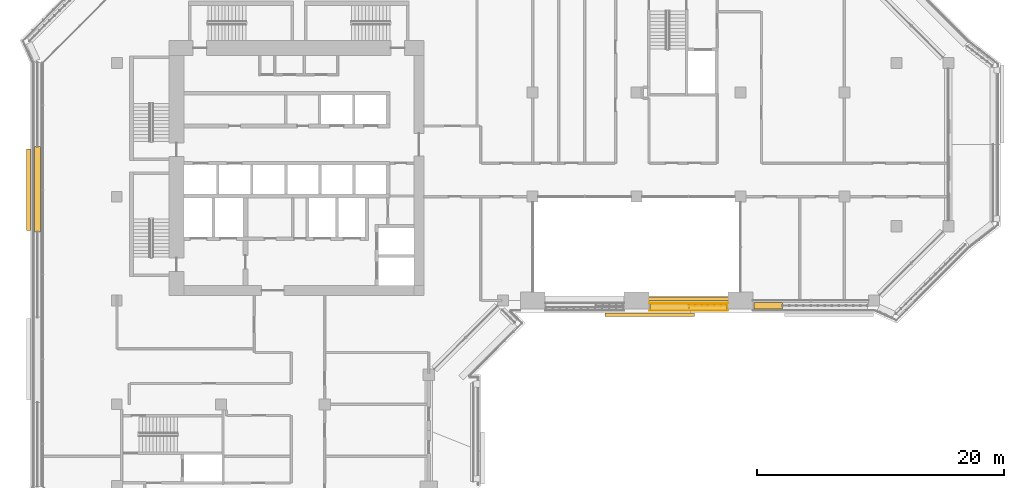
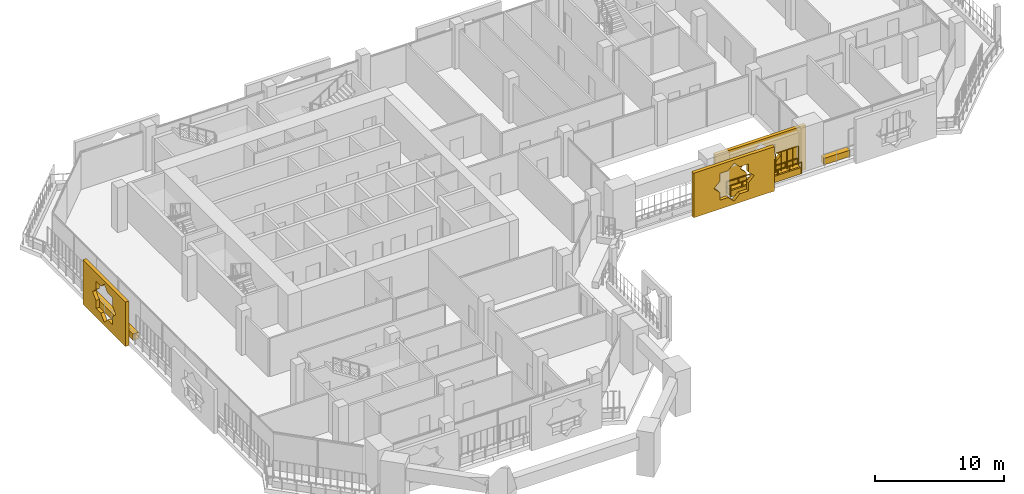
# One storey, part 20 of 23: 8 coverings, 3 railings.
"""IFC4 building model written with IfcOpenShell, lengths in metres."""

import ifcopenshell
import ifcopenshell.guid

model = None  # the IFC model being written
_history = None  # IfcOwnerHistory: only IFC2X3 demands one
_inside = {}  # id of a spatial element -> (the spatial element, [elements in it])
_under = {}  # id of a project, library or spatial element -> (it, [spatial elements below it])
_declared = {}  # id of a project -> (the project, [libraries it declares])
_typed = {}  # id of a type object -> (the type object, [elements of that type])
_made_of = {}  # id of a material, layer set ... -> (it, [elements and type objects made of it])


def new_model(schema):
    """Start an empty IFC model of exactly this schema.

    Asked for "IFC4X3", IfcOpenShell would pick the latest addendum, in which some entities
    have other attributes; the version numbers below select the first issue.
    IFC2X3 requires an IfcOwnerHistory on every rooted entity: one is made here for all.
    """
    global model, _history
    if schema == "IFC4X3":
        model = ifcopenshell.file(schema_version=(4, 3, 0, 0))
    else:
        model = ifcopenshell.file(schema=schema)
    _inside.clear()
    _under.clear()
    _declared.clear()
    _typed.clear()
    _made_of.clear()
    _history = None
    if model.schema == "IFC2X3":
        org = make("IfcOrganization", Name="unknown")
        user = make(
            "IfcPersonAndOrganization",
            ThePerson=make("IfcPerson", FamilyName="unknown"),
            TheOrganization=org,
        )
        app = make(
            "IfcApplication",
            ApplicationDeveloper=org,
            Version="unknown",
            ApplicationFullName="unknown",
            ApplicationIdentifier="unknown",
        )
        _history = make(
            "IfcOwnerHistory",
            OwningUser=user,
            OwningApplication=app,
            ChangeAction="ADDED",
            CreationDate=0,
        )
    return model


def make(cls, **values):
    """One entity of the class cls with the attributes given. An attribute that is None is left unset."""
    return model.create_entity(
        cls, **{name: value for name, value in values.items() if value is not None}
    )


def rooted(cls, **values):
    """An entity with a GlobalId (a new one), such as an element, a storey or a relation."""
    return make(cls, GlobalId=ifcopenshell.guid.new(), OwnerHistory=_history, **values)


def si_unit(unit_type, name, prefix=None):
    """IfcSIUnit, for example si_unit("LENGTHUNIT", "METRE", prefix="MILLI")."""
    return make("IfcSIUnit", UnitType=unit_type, Prefix=prefix, Name=name)


def assignment(units):
    """IfcUnitAssignment: the units of a project."""
    return None if units is None else make("IfcUnitAssignment", Units=units)


def point(xyz):
    """IfcCartesianPoint."""
    return None if xyz is None else make("IfcCartesianPoint", Coordinates=xyz)


def direction(xyz):
    """IfcDirection."""
    return None if xyz is None else make("IfcDirection", DirectionRatios=xyz)


def frame(location, z_axis=None, x_axis=None):
    """IfcAxis2Placement3D, a coordinate frame: its origin and axes. An axis left out is left unset."""
    return make(
        "IfcAxis2Placement3D",
        Location=point(location),
        Axis=direction(z_axis),
        RefDirection=direction(x_axis),
    )


def frame_2d(location, x_axis=None):
    """IfcAxis2Placement2D, a coordinate frame in the plane: its origin and x axis."""
    return make(
        "IfcAxis2Placement2D", Location=point(location), RefDirection=direction(x_axis)
    )


def origin():
    """The frame at (0, 0, 0) with its axes left unset."""
    return frame((0.0, 0.0, 0.0))


def origin_2d():
    """The frame at (0, 0) in the plane with its x axis left unset."""
    return frame_2d((0.0, 0.0))


def place(relative_to, where):
    """IfcLocalPlacement: puts the frame where relative to a parent placement (None: the world)."""
    return make(
        "IfcLocalPlacement", PlacementRelTo=relative_to, RelativePlacement=where
    )


def context(
    kind, dimensions, precision=None, world=None, true_north=None, identifier=None
):
    """IfcGeometricRepresentationContext, for example the 3D "Model" context."""
    return make(
        "IfcGeometricRepresentationContext",
        ContextIdentifier=identifier,
        ContextType=kind,
        CoordinateSpaceDimension=dimensions,
        Precision=precision,
        WorldCoordinateSystem=world,
        TrueNorth=true_north,
    )


def subcontext(parent, identifier, kind, view, scale=None):
    """IfcGeometricRepresentationSubContext, for example "Body" below "Model"."""
    return make(
        "IfcGeometricRepresentationSubContext",
        ContextIdentifier=identifier,
        ContextType=kind,
        ParentContext=parent,
        TargetScale=scale,
        TargetView=view,
    )


def project(units=None, contexts=None):
    """IfcProject with its units and contexts."""
    return rooted(
        "IfcProject",
        Name="project",
        RepresentationContexts=contexts,
        UnitsInContext=assignment(units),
    )


def spatial(cls, under=None, at=None, **own):
    """A site, building, storey or space (cls), placed at a placement, below another one or the project."""
    s = rooted(cls, ObjectPlacement=at, **own)
    if under is not None:
        _under.setdefault(under.id(), (under, []))[1].append(s)
    return s


def polyline(points):
    """IfcPolyline through the points."""
    return make("IfcPolyline", Points=[point(p) for p in points])


def profile(cls, at=None, kind="AREA", **sizes):
    """A parametric profile (cls). Its sizes go by their IFC names, for example OverallWidth=200.0."""
    return make(cls, ProfileType=kind, Position=at, **sizes)


def rectangle(**sizes):
    """IfcRectangleProfileDef."""
    return profile("IfcRectangleProfileDef", **sizes)


def circle(**sizes):
    """IfcCircleProfileDef."""
    return profile("IfcCircleProfileDef", **sizes)


def outline(outer, holes=None, kind="AREA"):
    """IfcArbitraryClosedProfileDef: a profile drawn as a closed curve; with holes, ...WithVoids."""
    if holes is None:
        return make("IfcArbitraryClosedProfileDef", ProfileType=kind, OuterCurve=outer)
    return make(
        "IfcArbitraryProfileDefWithVoids",
        ProfileType=kind,
        OuterCurve=outer,
        InnerCurves=holes,
    )


def extrude(swept, where, along, depth):
    """IfcExtrudedAreaSolid: the profile swept, set in the frame where, extruded along a direction by depth."""
    return make(
        "IfcExtrudedAreaSolid",
        SweptArea=swept,
        Position=where,
        ExtrudedDirection=direction(along),
        Depth=depth,
    )


def shape(context_of_items, identifier, shape_type, items):
    """IfcShapeRepresentation: the items that make up one representation, for example the "Body"."""
    return make(
        "IfcShapeRepresentation",
        ContextOfItems=context_of_items,
        RepresentationIdentifier=identifier,
        RepresentationType=shape_type,
        Items=items,
    )


def material(Name=None, Category=None):
    """IfcMaterial."""
    return make("IfcMaterial", Name=Name, Category=Category)


def material_profile(
    of_material, cross_section, Name=None, Category=None, Priority=None
):
    """IfcMaterialProfile: a cross section and its material."""
    return make(
        "IfcMaterialProfile",
        Name=Name,
        Material=of_material,
        Profile=cross_section,
        Priority=Priority,
        Category=Category,
    )


def profile_set(profiles, Name=None, composite=None):
    """IfcMaterialProfileSet."""
    return make(
        "IfcMaterialProfileSet",
        Name=Name,
        MaterialProfiles=profiles,
        CompositeProfile=composite,
    )


def made_of(thing, what):
    """Note that an element or type object is made of a material, layer set ...; save() writes the relation."""
    if what is not None:
        _made_of.setdefault(what.id(), (what, []))[1].append(thing)
    return thing


def type_object(cls, material=None, **own):
    """A type object (cls), such as IfcWallType, which elements share."""
    return made_of(rooted(cls, **own), material)


def element(
    cls,
    number,
    at=None,
    inside=None,
    cuts=None,
    type_object=None,
    material=None,
    context=None,
    identifier="Body",
    shape_type=None,
    held_by="IfcProductDefinitionShape",
    body=None,
    shapes=None,
    **own,
):
    """One element of the class cls, such as IfcWall. Its Tag is "e" and its number.

    at: its placement. inside: the storey or other place that contains it. cuts: it is an
    opening in that element (IfcRelVoidsElement). A single representation is given by context,
    identifier, shape_type and body (its items); several are given by shapes. held_by: the class
    of the entity that holds the representations. save() writes the other relations.
    """
    e = rooted(cls, Tag="e%d" % number, ObjectPlacement=at, **own)
    if body is not None:
        shapes = [shape(context, identifier, shape_type, body)]
    if shapes is not None:
        e.Representation = make(held_by, Representations=shapes)
    if inside is not None:
        _inside.setdefault(inside.id(), (inside, []))[1].append(e)
    if cuts is not None:
        rooted(
            "IfcRelVoidsElement", RelatingBuildingElement=cuts, RelatedOpeningElement=e
        )
    if type_object is not None:
        _typed.setdefault(type_object.id(), (type_object, []))[1].append(e)
    return made_of(e, material)


def aggregate(whole, parts):
    """IfcRelAggregates: a whole, such as a stair, and the parts it consists of."""
    return rooted("IfcRelAggregates", RelatingObject=whole, RelatedObjects=parts)


def save(model, path):
    """Write the relations noted so far, then the file.

    IfcRelAggregates (storeys below a building ...), IfcRelContainedInSpatialStructure (elements
    in a storey), IfcRelDefinesByType, IfcRelAssociatesMaterial and IfcRelDeclares: one each for
    every whole, place, type object, material and project.
    """
    for whole, parts in _under.values():
        aggregate(whole, parts)
    for where, things in _inside.values():
        rooted(
            "IfcRelContainedInSpatialStructure",
            RelatedElements=things,
            RelatingStructure=where,
        )
    for kind, things in _typed.values():
        rooted("IfcRelDefinesByType", RelatedObjects=things, RelatingType=kind)
    for what, things in _made_of.values():
        rooted("IfcRelAssociatesMaterial", RelatedObjects=things, RelatingMaterial=what)
    for by, libraries in _declared.values():
        rooted("IfcRelDeclares", RelatingContext=by, RelatedDefinitions=libraries)
    model.write(path)


model = new_model("IFC4")

# Units and contexts
model_context = context("Model", 3, precision=1e-05, world=origin(), true_north=direction((0.0, 1.0)))
body_context = subcontext(model_context, "Body", "Model", "MODEL_VIEW")
ifc_project = project(units=[si_unit("LENGTHUNIT", "METRE"), si_unit("AREAUNIT", "SQUARE_METRE"), si_unit("VOLUMEUNIT", "CUBIC_METRE"), si_unit("PLANEANGLEUNIT", "RADIAN"), si_unit("MASSUNIT", "GRAM", prefix="KILO")], contexts=[model_context])

# Site, building, storey
site_placement = place(None, origin())
site = spatial("IfcSite", under=ifc_project, at=site_placement, CompositionType="ELEMENT")
building_placement = place(site_placement, origin())
building = spatial("IfcBuilding", under=site, at=building_placement, Name="Kawkab Arch Medical Tower", CompositionType="ELEMENT")
storey_placement = place(building_placement, frame((0.0, 0.0, 222.199951171875)))
storey = spatial("IfcBuildingStorey", under=building, at=storey_placement, Name="L51", CompositionType="ELEMENT", Elevation=222.199951171875)

# Railings
ifc_material_1 = material(Name="Bronze anodised aluminium guard", Category="aluminium")
railing_type_1 = type_object("IfcRailingType", Name="Loggia and terrace guard 1100", PredefinedType="GUARDRAIL", material=ifc_material_1)
railing_1_placement = place(storey_placement, frame((43.030029296875, -25.39990234375, 0.0)))
element("IfcRailing", 1, at=railing_1_placement, inside=storey, type_object=railing_type_1, Name="Guard L51.LOG-01.1.2", PredefinedType="GUARDRAIL", context=body_context, shape_type="SweptSolid", body=[
    extrude(circle(Radius=0.02392578125, at=origin_2d()), frame((0.0, 0.0, 1.076171875), z_axis=(1.0, 0.0, 0.0), x_axis=(0.0, 1.0, 0.0)), (0.0, 0.0, 1.0), 6.340087890625),
    extrude(circle(Radius=0.02099609375, at=origin_2d()), origin(), (0.0, 0.0, 1.0), 1.052001953125),
    extrude(circle(Radius=0.02099609375, at=origin_2d()), frame((1.056640625, 0.0, 0.0)), (0.0, 0.0, 1.0), 1.052001953125),
    extrude(circle(Radius=0.02099609375, at=origin_2d()), frame((2.11328125, 0.0, 0.0)), (0.0, 0.0, 1.0), 1.052001953125),
    extrude(circle(Radius=0.02099609375, at=origin_2d()), frame((3.169921875, 0.0, 0.0)), (0.0, 0.0, 1.0), 1.052001953125),
    extrude(circle(Radius=0.02099609375, at=origin_2d()), frame((4.226806640625, 0.0, 0.0)), (0.0, 0.0, 1.0), 1.052001953125),
    extrude(circle(Radius=0.02099609375, at=origin_2d()), frame((5.283447265625, 0.0, 0.0)), (0.0, 0.0, 1.0), 1.052001953125),
    extrude(circle(Radius=0.02099609375, at=origin_2d()), frame((6.340087890625, 0.0, 0.0)), (0.0, 0.0, 1.0), 1.052001953125),
])
railing_2_placement = place(storey_placement, frame((49.3701171875, -26.0, 0.0)))
element("IfcRailing", 2, at=railing_2_placement, inside=storey, type_object=railing_type_1, Name="Guard L51.LOG-01.2.3", PredefinedType="GUARDRAIL", context=body_context, shape_type="SweptSolid", body=[
    extrude(circle(Radius=0.02392578125, at=origin_2d()), frame((0.0, 0.0, 1.076171875), z_axis=(-1.0, 0.0, 0.0), x_axis=(0.0, -1.0, 0.0)), (0.0, 0.0, 1.0), 6.340087890625),
    extrude(circle(Radius=0.02099609375, at=origin_2d()), origin(), (0.0, 0.0, 1.0), 1.052001953125),
    extrude(circle(Radius=0.02099609375, at=origin_2d()), frame((-1.056640625, 0.0, 0.0)), (0.0, 0.0, 1.0), 1.052001953125),
    extrude(circle(Radius=0.02099609375, at=origin_2d()), frame((-2.11328125, 0.0, 0.0)), (0.0, 0.0, 1.0), 1.052001953125),
    extrude(circle(Radius=0.02099609375, at=origin_2d()), frame((-3.169921875, 0.0, 0.0)), (0.0, 0.0, 1.0), 1.052001953125),
    extrude(circle(Radius=0.02099609375, at=origin_2d()), frame((-4.226806640625, 0.0, 0.0)), (0.0, 0.0, 1.0), 1.052001953125),
    extrude(circle(Radius=0.02099609375, at=origin_2d()), frame((-5.283447265625, 0.0, 0.0)), (0.0, 0.0, 1.0), 1.052001953125),
    extrude(circle(Radius=0.02099609375, at=origin_2d()), frame((-6.340087890625, 0.0, 0.0)), (0.0, 0.0, 1.0), 1.052001953125),
])

# Coverings
ifc_material_2 = material(Name="Bronze anodised aluminium mashrabiya panel, eight-point star pattern", Category="aluminium")
ifc_material_profile_1 = material_profile(ifc_material_2, outline(polyline([(-3.300048828125, -2.10009765625), (3.300048828125, -2.10009765625), (3.300048828125, 2.10009765625), (-3.300048828125, 2.10009765625), (-3.300048828125, -2.10009765625)]), holes=[polyline([(1.800048828125, 0.0), (1.272705078125, 0.527099609375), (1.272705078125, 1.272705078125), (0.527099609375, 1.272705078125), (0.0, 1.800048828125), (-0.527099609375, 1.272705078125), (-1.272705078125, 1.272705078125), (-1.272705078125, 0.527099609375), (-1.800048828125, 0.0), (-1.272705078125, -0.527099609375), (-1.272705078125, -1.272705078125), (-0.527099609375, -1.272705078125), (0.0, -1.800048828125), (0.527099609375, -1.272705078125), (1.272705078125, -1.272705078125), (1.272705078125, -0.527099609375), (1.800048828125, 0.0)])]), Name="Mashrabiya panel 6600x4200")
ifc_profile_set_1 = profile_set([ifc_material_profile_1], Name="Bronze anodised aluminium mashrabiya panel, eight-point star pattern")
covering_type_1 = type_object("IfcCoveringType", Name="Mashrabiya panel 6600 x 4200", PredefinedType="USERDEFINED", material=ifc_profile_set_1)
covering_1_placement = place(storey_placement, frame((-7.0, -16.259033203125, 1.699951171875), z_axis=(-1.0, 0.0, 0.0), x_axis=(0.0, -1.0, 0.0)))
element("IfcCovering", 3, at=covering_1_placement, inside=storey, type_object=covering_type_1, Name="Mashrabiya panel L51.LOG-01-02.4", ObjectType="SCREEN", PredefinedType="USERDEFINED", context=body_context, shape_type="SweptSolid", body=[
    extrude(outline(polyline([(-3.300048828125, -2.10009765625), (3.300048828125, -2.10009765625), (3.300048828125, 2.10009765625), (-3.300048828125, 2.10009765625), (-3.300048828125, -2.10009765625)]), holes=[polyline([(1.800048828125, 0.0), (1.272705078125, 0.527099609375), (1.272705078125, 1.272705078125), (0.527099609375, 1.272705078125), (0.0, 1.800048828125), (-0.527099609375, 1.272705078125), (-1.272705078125, 1.272705078125), (-1.272705078125, 0.527099609375), (-1.800048828125, 0.0), (-1.272705078125, -0.527099609375), (-1.272705078125, -1.272705078125), (-0.527099609375, -1.272705078125), (0.0, -1.800048828125), (0.527099609375, -1.272705078125), (1.272705078125, -1.272705078125), (1.272705078125, -0.527099609375), (1.800048828125, 0.0)])]), origin(), (0.0, 0.0, 1.0), 0.300048828125),
])
ifc_material_3 = material(Name="Bronze anodised aluminium mashrabiya panel, eight-point star pattern", Category="aluminium")
ifc_material_profile_2 = material_profile(ifc_material_3, outline(polyline([(-3.60009765625, -2.10009765625), (3.60009765625, -2.10009765625), (3.60009765625, 2.10009765625), (-3.60009765625, 2.10009765625), (-3.60009765625, -2.10009765625)]), holes=[polyline([(1.800048828125, 0.0), (1.272705078125, 0.527099609375), (1.272705078125, 1.272705078125), (0.527099609375, 1.272705078125), (0.0, 1.800048828125), (-0.527099609375, 1.272705078125), (-1.272705078125, 1.272705078125), (-1.272705078125, 0.527099609375), (-1.800048828125, 0.0), (-1.272705078125, -0.527099609375), (-1.272705078125, -1.272705078125), (-0.527099609375, -1.272705078125), (0.0, -1.800048828125), (0.527099609375, -1.272705078125), (1.272705078125, -1.272705078125), (1.272705078125, -0.527099609375), (1.800048828125, 0.0)])]), Name="Mashrabiya panel 7200x4200")
ifc_profile_set_2 = profile_set([ifc_material_profile_2], Name="Bronze anodised aluminium mashrabiya panel, eight-point star pattern")
covering_type_2 = type_object("IfcCoveringType", Name="Mashrabiya panel 7200 x 4200", PredefinedType="USERDEFINED", material=ifc_profile_set_2)
covering_2_placement = place(storey_placement, frame((43.06494140625, -26.199951171875, 1.699951171875), z_axis=(0.0, -1.0, 0.0), x_axis=(1.0, 0.0, 0.0)))
element("IfcCovering", 4, at=covering_2_placement, inside=storey, type_object=covering_type_2, Name="Mashrabiya panel L51.LOG-01-02.11", ObjectType="SCREEN", PredefinedType="USERDEFINED", context=body_context, shape_type="SweptSolid", body=[
    extrude(outline(polyline([(-3.60009765625, -2.10009765625), (3.60009765625, -2.10009765625), (3.60009765625, 2.10009765625), (-3.60009765625, 2.10009765625), (-3.60009765625, -2.10009765625)]), holes=[polyline([(1.800048828125, 0.0), (1.272705078125, 0.527099609375), (1.272705078125, 1.272705078125), (0.527099609375, 1.272705078125), (0.0, 1.800048828125), (-0.527099609375, 1.272705078125), (-1.272705078125, 1.272705078125), (-1.272705078125, 0.527099609375), (-1.800048828125, 0.0), (-1.272705078125, -0.527099609375), (-1.272705078125, -1.272705078125), (-0.527099609375, -1.272705078125), (0.0, -1.800048828125), (0.527099609375, -1.272705078125), (1.272705078125, -1.272705078125), (1.272705078125, -0.527099609375), (1.800048828125, 0.0)])]), origin(), (0.0, 0.0, 1.0), 0.300048828125),
])
ifc_material_4 = material(Name="Bronze anodised aluminium mashrabiya panel, eight-point star pattern", Category="aluminium")
ifc_material_profile_3 = material_profile(ifc_material_4, outline(polyline([(-4.050048828125, -2.10009765625), (4.050048828125, -2.10009765625), (4.050048828125, 2.10009765625), (-4.050048828125, 2.10009765625), (-4.050048828125, -2.10009765625)]), holes=[polyline([(1.800048828125, 0.0), (1.272705078125, 0.527099609375), (1.272705078125, 1.272705078125), (0.527099609375, 1.272705078125), (0.0, 1.800048828125), (-0.527099609375, 1.272705078125), (-1.272705078125, 1.272705078125), (-1.272705078125, 0.527099609375), (-1.800048828125, 0.0), (-1.272705078125, -0.527099609375), (-1.272705078125, -1.272705078125), (-0.527099609375, -1.272705078125), (0.0, -1.800048828125), (0.527099609375, -1.272705078125), (1.272705078125, -1.272705078125), (1.272705078125, -0.527099609375), (1.800048828125, 0.0)])]), Name="Mashrabiya panel 8100x4200")
ifc_profile_set_3 = profile_set([ifc_material_profile_3], Name="Bronze anodised aluminium mashrabiya panel, eight-point star pattern")
covering_type_3 = type_object("IfcCoveringType", Name="Mashrabiya panel 8100 x 4200", PredefinedType="USERDEFINED", material=ifc_profile_set_3)
covering_3_placement = place(storey_placement, frame((46.18505859375, -25.199951171875, 1.699951171875), z_axis=(0.0, 1.0, 0.0), x_axis=(-1.0, 0.0, 0.0)))
element("IfcCovering", 5, at=covering_3_placement, inside=storey, type_object=covering_type_3, Name="Mashrabiya panel L51.LOG-01-01.1", ObjectType="SCREEN", PredefinedType="USERDEFINED", context=body_context, shape_type="SweptSolid", body=[
    extrude(outline(polyline([(-4.050048828125, -2.10009765625), (4.050048828125, -2.10009765625), (4.050048828125, 2.10009765625), (-4.050048828125, 2.10009765625), (-4.050048828125, -2.10009765625)]), holes=[polyline([(1.800048828125, 0.0), (1.272705078125, 0.527099609375), (1.272705078125, 1.272705078125), (0.527099609375, 1.272705078125), (0.0, 1.800048828125), (-0.527099609375, 1.272705078125), (-1.272705078125, 1.272705078125), (-1.272705078125, 0.527099609375), (-1.800048828125, 0.0), (-1.272705078125, -0.527099609375), (-1.272705078125, -1.272705078125), (-0.527099609375, -1.272705078125), (0.0, -1.800048828125), (0.527099609375, -1.272705078125), (1.272705078125, -1.272705078125), (1.272705078125, -0.527099609375), (1.800048828125, 0.0)])]), origin(), (0.0, 0.0, 1.0), 0.300048828125),
])
ifc_material_5 = material(Name="Planting soil in a precast trough", Category="concrete")
ifc_material_profile_4 = material_profile(ifc_material_5, rectangle(XDim=0.5, YDim=0.60009765625, at=origin_2d()), Name="Trough 500x600")
ifc_profile_set_4 = profile_set([ifc_material_profile_4], Name="Planting soil in a precast trough")
covering_type_4 = type_object("IfcCoveringType", Name="Planter trough 500 x 600", PredefinedType="USERDEFINED", material=ifc_profile_set_4)
covering_4_placement = place(storey_placement, frame((43.080078125, -25.780029296875, 0.300048828125), z_axis=(1.0, 0.0, 0.0), x_axis=(0.0, 1.0, 0.0)))
element("IfcCovering", 6, at=covering_4_placement, inside=storey, type_object=covering_type_4, Name="Planter L51.LOG-01-01.2", ObjectType="PLANTER", PredefinedType="USERDEFINED", context=body_context, shape_type="SweptSolid", body=[
    extrude(rectangle(XDim=0.5, YDim=0.60009765625, at=origin_2d()), origin(), (0.0, 0.0, 1.0), 6.239990234375),
])
covering_5_placement = place(storey_placement, frame((-6.419921875, -19.655029296875, 0.300048828125), z_axis=(0.0, 1.0, 0.0), x_axis=(-1.0, 0.0, 0.0)))
element("IfcCovering", 7, at=covering_5_placement, inside=storey, type_object=covering_type_4, Name="Planter L51.LOG-01-02.10", ObjectType="PLANTER", PredefinedType="USERDEFINED", context=body_context, shape_type="SweptSolid", body=[
    extrude(rectangle(XDim=0.5, YDim=0.60009765625, at=origin_2d()), origin(), (0.0, 0.0, 1.0), 6.89111328125),
])
covering_6_placement = place(storey_placement, frame((53.791015625, -25.6201171875, 0.300048828125), z_axis=(-1.0, 0.0, 0.0), x_axis=(0.0, -1.0, 0.0)))
element("IfcCovering", 8, at=covering_6_placement, inside=storey, type_object=covering_type_4, Name="Planter L51.LOG-01-02.38", ObjectType="PLANTER", PredefinedType="USERDEFINED", context=body_context, shape_type="SweptSolid", body=[
    extrude(rectangle(XDim=0.5, YDim=0.60009765625, at=origin_2d()), origin(), (0.0, 0.0, 1.0), 2.31103515625),
])
covering_7_placement = place(storey_placement, frame((49.320068359375, -25.6201171875, 0.300048828125), z_axis=(-1.0, 0.0, 0.0), x_axis=(0.0, -1.0, 0.0)))
element("IfcCovering", 9, at=covering_7_placement, inside=storey, type_object=covering_type_4, Name="Planter L51.LOG-01-02.39", ObjectType="PLANTER", PredefinedType="USERDEFINED", context=body_context, shape_type="SweptSolid", body=[
    extrude(rectangle(XDim=0.5, YDim=0.60009765625, at=origin_2d()), origin(), (0.0, 0.0, 1.0), 3.065185546875),
])
covering_8_placement = place(storey_placement, frame((46.2548828125, -25.6201171875, 0.300048828125), z_axis=(-1.0, 0.0, 0.0), x_axis=(0.0, -1.0, 0.0)))
element("IfcCovering", 10, at=covering_8_placement, inside=storey, type_object=covering_type_4, Name="Planter L51.LOG-01-02.40", ObjectType="PLANTER", PredefinedType="USERDEFINED", context=body_context, shape_type="SweptSolid", body=[
    extrude(rectangle(XDim=0.5, YDim=0.60009765625, at=origin_2d()), origin(), (0.0, 0.0, 1.0), 3.1748046875),
])

# Railing
ifc_material_6 = material(Name="Bronze anodised aluminium trellis for climbing plants", Category="aluminium")
railing_type_2 = type_object("IfcRailingType", Name="Planting trellis 2400", PredefinedType="USERDEFINED", material=ifc_material_6)
railing_3_placement = place(storey_placement, frame((49.320068359375, -25.6201171875, 0.0)))
element("IfcRailing", 11, at=railing_3_placement, inside=storey, type_object=railing_type_2, Name="Planting trellis L51.LOG-01-02.39", ObjectType="TRELLIS", PredefinedType="USERDEFINED", context=body_context, shape_type="SweptSolid", body=[
    extrude(circle(Radius=0.01513671875, at=origin_2d()), frame((0.0, 0.0, 2.384765625), z_axis=(-1.0, 0.0, 0.0), x_axis=(0.0, -1.0, 0.0)), (0.0, 0.0, 1.0), 3.065185546875),
    extrude(circle(Radius=0.030029296875, at=origin_2d()), origin(), (0.0, 0.0, 1.0), 2.369873046875),
    extrude(circle(Radius=0.030029296875, at=origin_2d()), frame((-0.5107421875, 0.0, 0.0)), (0.0, 0.0, 1.0), 2.369873046875),
    extrude(circle(Radius=0.030029296875, at=origin_2d()), frame((-1.021728515625, 0.0, 0.0)), (0.0, 0.0, 1.0), 2.369873046875),
    extrude(circle(Radius=0.030029296875, at=origin_2d()), frame((-1.53271484375, 0.0, 0.0)), (0.0, 0.0, 1.0), 2.369873046875),
    extrude(circle(Radius=0.030029296875, at=origin_2d()), frame((-2.04345703125, 0.0, 0.0)), (0.0, 0.0, 1.0), 2.369873046875),
    extrude(circle(Radius=0.030029296875, at=origin_2d()), frame((-2.55419921875, 0.0, 0.0)), (0.0, 0.0, 1.0), 2.369873046875),
    extrude(circle(Radius=0.030029296875, at=origin_2d()), frame((-3.065185546875, 0.0, 0.0)), (0.0, 0.0, 1.0), 2.369873046875),
])

save(model, "model.ifc")
